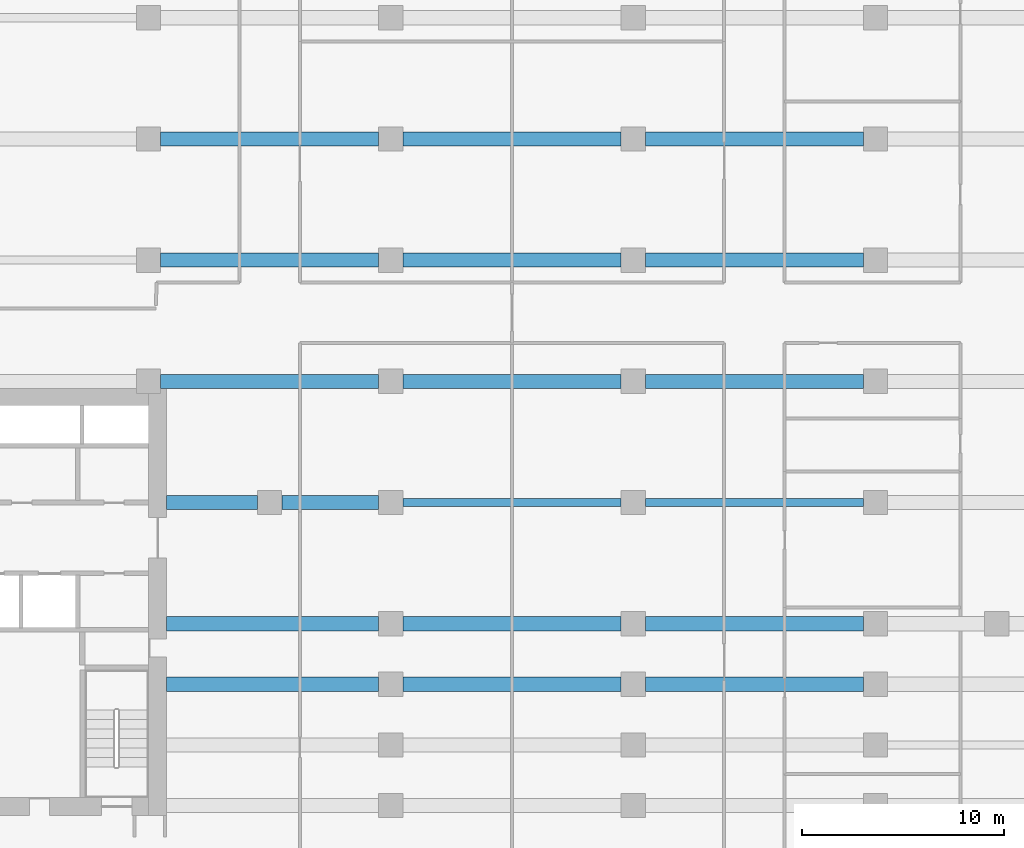
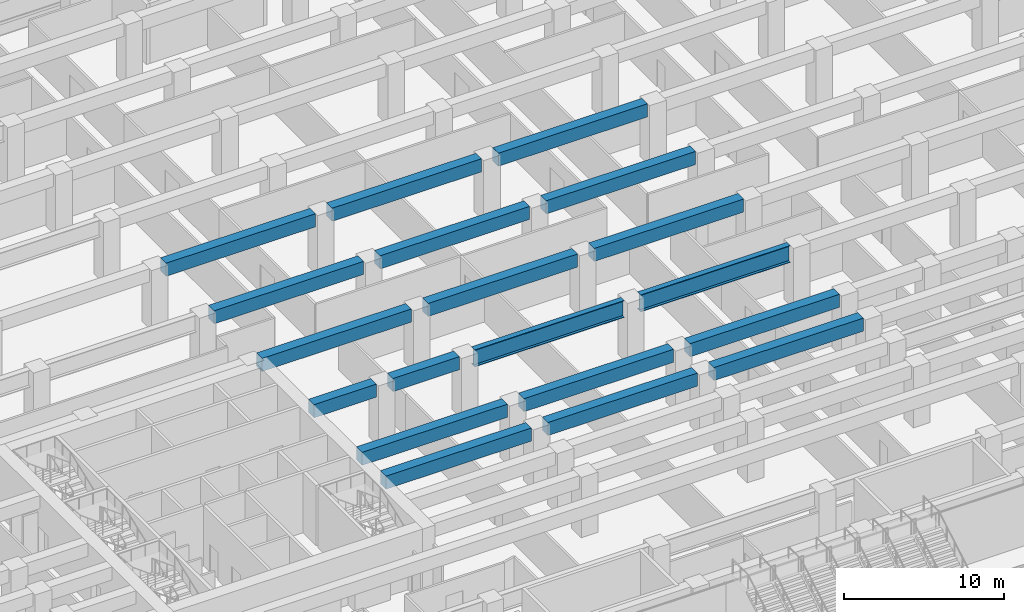
# One storey, part 10 of 40: 19 beams.
"""IFC4 building model written with IfcOpenShell, lengths in metres."""

from ifc_helpers import new_model, si_unit, direction, frame, origin, origin_2d, place, context, subcontext, project, spatial, rectangle, i_section, extrude, material, material_profile, profile_set, type_object, element, save


model = new_model("IFC4")

# Units and contexts
model_context = context("Model", 3, precision=1e-05, world=origin(), true_north=direction((0.0, 1.0)))
body_context = subcontext(model_context, "Body", "Model", "MODEL_VIEW")
ifc_project = project(units=[si_unit("LENGTHUNIT", "METRE"), si_unit("AREAUNIT", "SQUARE_METRE"), si_unit("VOLUMEUNIT", "CUBIC_METRE"), si_unit("PLANEANGLEUNIT", "RADIAN"), si_unit("MASSUNIT", "GRAM", prefix="KILO")], contexts=[model_context])

# Site, building, storey
site_placement = place(None, origin())
site = spatial("IfcSite", under=ifc_project, at=site_placement, CompositionType="ELEMENT")
building_placement = place(site_placement, origin())
building = spatial("IfcBuilding", under=site, at=building_placement, Name="Welwitschia Terrace Campus", CompositionType="ELEMENT")
storey_placement = place(building_placement, frame((0.0, 0.0, 6.0)))
storey = spatial("IfcBuildingStorey", under=building, at=storey_placement, Name="L01", CompositionType="ELEMENT", Elevation=6.0)

# Beams
ifc_material_1 = material(Name="Concrete C60/75", Category="concrete")
ifc_material_profile_1 = material_profile(ifc_material_1, rectangle(XDim=0.699951171875, YDim=1.0, at=origin_2d()))
ifc_profile_set_1 = profile_set([ifc_material_profile_1], Name="Concrete C60/75")
beam_type_1 = type_object("IfcBeamType", Name="Base block beam 700x1000", PredefinedType="BEAM", material=ifc_profile_set_1)
beam_1_placement = place(storey_placement, frame((24.89990234375, 11.0, 4.10009765625), z_axis=(1.0, 0.0, 0.0), x_axis=(0.0, 1.0, 0.0)))
element("IfcBeam", 1, at=beam_1_placement, inside=storey, type_object=beam_type_1, Name="Beam BB1", PredefinedType="BEAM", context=body_context, shape_type="SweptSolid", body=[
    extrude(rectangle(XDim=0.699951171875, YDim=1.0, at=origin_2d()), origin(), (0.0, 0.0, 1.0), 10.49951171875),
])
for number, where, z_axis, x_axis, name in (
    (2, (36.6005859375, 11.0, 4.10009765625), (1.0, 0.0, 0.0), (0.0, 1.0, 0.0), "Beam BB1"),
    (3, (48.6005859375, 11.0, 4.10009765625), (1.0, 0.0, 0.0), (0.0, 1.0, 0.0), "Beam BB1"),
):
    element("IfcBeam", number, at=place(storey_placement, frame(where, z_axis=z_axis, x_axis=x_axis)), inside=storey, type_object=beam_type_1, Name=name, PredefinedType="BEAM", context=body_context, shape_type="SweptSolid", body=[
        extrude(rectangle(XDim=0.699951171875, YDim=1.0, at=origin_2d()), origin(), (0.0, 0.0, 1.0), 10.798828125),
    ])
beam_2_placement = place(storey_placement, frame((24.89990234375, 14.0, 4.10009765625), z_axis=(1.0, 0.0, 0.0), x_axis=(0.0, 1.0, 0.0)))
element("IfcBeam", 4, at=beam_2_placement, inside=storey, type_object=beam_type_1, Name="Beam BB1", PredefinedType="BEAM", context=body_context, shape_type="SweptSolid", body=[
    extrude(rectangle(XDim=0.699951171875, YDim=1.0, at=origin_2d()), origin(), (0.0, 0.0, 1.0), 10.49951171875),
])
for number, where, z_axis, x_axis, name in (
    (5, (36.6005859375, 14.0, 4.10009765625), (1.0, 0.0, 0.0), (0.0, 1.0, 0.0), "Beam BB1"),
    (6, (48.6005859375, 14.0, 4.10009765625), (1.0, 0.0, 0.0), (0.0, 1.0, 0.0), "Beam BB1"),
):
    element("IfcBeam", number, at=place(storey_placement, frame(where, z_axis=z_axis, x_axis=x_axis)), inside=storey, type_object=beam_type_1, Name=name, PredefinedType="BEAM", context=body_context, shape_type="SweptSolid", body=[
        extrude(rectangle(XDim=0.699951171875, YDim=1.0, at=origin_2d()), origin(), (0.0, 0.0, 1.0), 10.798828125),
    ])
beam_3_placement = place(storey_placement, frame((24.89990234375, 20.0, 4.10009765625), z_axis=(1.0, 0.0, 0.0), x_axis=(0.0, 1.0, 0.0)))
element("IfcBeam", 7, at=beam_3_placement, inside=storey, type_object=beam_type_1, Name="Beam BB1", PredefinedType="BEAM", context=body_context, shape_type="SweptSolid", body=[
    extrude(rectangle(XDim=0.699951171875, YDim=1.0, at=origin_2d()), origin(), (0.0, 0.0, 1.0), 4.49951171875),
])
beam_4_placement = place(storey_placement, frame((30.6005859375, 20.0, 4.10009765625), z_axis=(1.0, 0.0, 0.0), x_axis=(0.0, 1.0, 0.0)))
element("IfcBeam", 8, at=beam_4_placement, inside=storey, type_object=beam_type_1, Name="Beam BB1", PredefinedType="BEAM", context=body_context, shape_type="SweptSolid", body=[
    extrude(rectangle(XDim=0.699951171875, YDim=1.0, at=origin_2d()), origin(), (0.0, 0.0, 1.0), 4.798828125),
])
for number, where, z_axis, x_axis, name in (
    (9, (24.6005859375, 26.0, 4.10009765625), (1.0, 0.0, 0.0), (0.0, 1.0, 0.0), "Beam BB1"),
    (10, (36.6005859375, 26.0, 4.10009765625), (1.0, 0.0, 0.0), (0.0, 1.0, 0.0), "Beam BB1"),
    (11, (48.6005859375, 26.0, 4.10009765625), (1.0, 0.0, 0.0), (0.0, 1.0, 0.0), "Beam BB1"),
    (12, (24.6005859375, 32.0, 4.10009765625), (1.0, 0.0, 0.0), (0.0, 1.0, 0.0), "Beam BB1"),
    (13, (36.6005859375, 32.0, 4.10009765625), (1.0, 0.0, 0.0), (0.0, 1.0, 0.0), "Beam BB1"),
    (14, (48.6005859375, 32.0, 4.10009765625), (1.0, 0.0, 0.0), (0.0, 1.0, 0.0), "Beam BB1"),
    (15, (24.6005859375, 38.0, 4.10009765625), (1.0, 0.0, 0.0), (0.0, 1.0, 0.0), "Beam BB1"),
    (16, (36.6005859375, 38.0, 4.10009765625), (1.0, 0.0, 0.0), (0.0, 1.0, 0.0), "Beam BB1"),
    (17, (48.6005859375, 38.0, 4.10009765625), (1.0, 0.0, 0.0), (0.0, 1.0, 0.0), "Beam BB1"),
):
    element("IfcBeam", number, at=place(storey_placement, frame(where, z_axis=z_axis, x_axis=x_axis)), inside=storey, type_object=beam_type_1, Name=name, PredefinedType="BEAM", context=body_context, shape_type="SweptSolid", body=[
        extrude(rectangle(XDim=0.699951171875, YDim=1.0, at=origin_2d()), origin(), (0.0, 0.0, 1.0), 10.798828125),
    ])
ifc_material_2 = material(Name="Steel S355", Category="steel")
ifc_material_profile_2 = material_profile(ifc_material_2, i_section(OverallWidth=0.39990234375, OverallDepth=1.300048828125, WebThickness=0.02490234375, FlangeThickness=0.0400390625, at=origin_2d()))
ifc_profile_set_2 = profile_set([ifc_material_profile_2], Name="Steel S355")
beam_type_2 = type_object("IfcBeamType", Name="Transfer girder WI 1300x400x25x40", PredefinedType="BEAM", material=ifc_profile_set_2)
for number, where, z_axis, x_axis, name in (
    (18, (48.6005859375, 20.0, 3.949951171875), (1.0, 0.0, 0.0), (0.0, 1.0, 0.0), "Transfer girder TG1"),
    (19, (36.6005859375, 20.0, 3.949951171875), (1.0, 0.0, 0.0), (0.0, 1.0, 0.0), "Transfer girder TG1"),
):
    element("IfcBeam", number, at=place(storey_placement, frame(where, z_axis=z_axis, x_axis=x_axis)), inside=storey, type_object=beam_type_2, Name=name, PredefinedType="BEAM", context=body_context, shape_type="SweptSolid", body=[
        extrude(i_section(OverallWidth=0.39990234375, OverallDepth=1.300048828125, WebThickness=0.02490234375, FlangeThickness=0.0400390625, at=origin_2d()), origin(), (0.0, 0.0, 1.0), 10.798828125),
    ])

save(model, "model.ifc")
